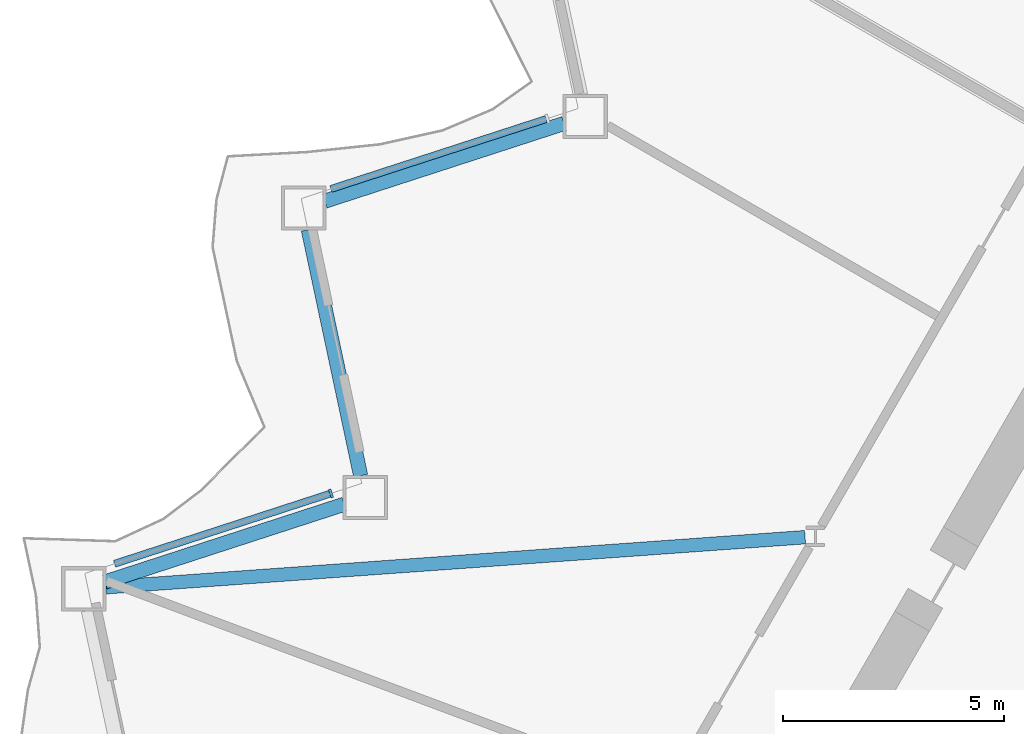
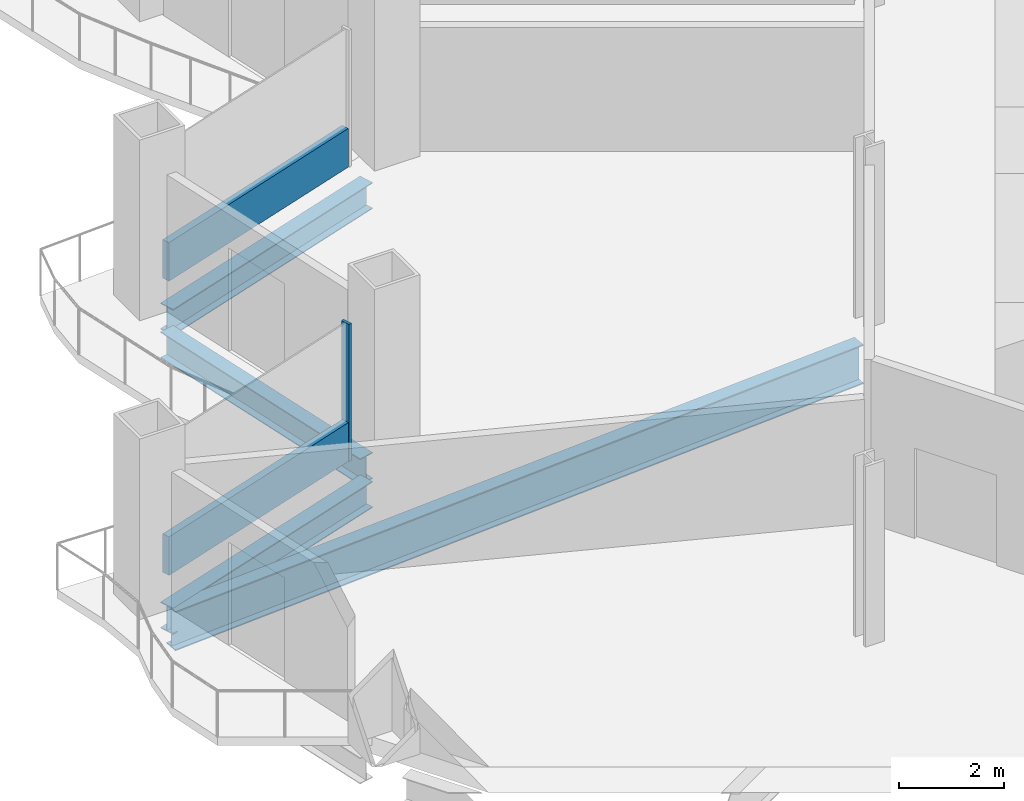
# One storey, part 3 of 20: 4 beams, 3 members, 2 elements without a shape of their own.
"""IFC4 building model written with IfcOpenShell, lengths in metres."""

from ifc_helpers import new_model, si_unit, direction, frame, origin, origin_2d, place, context, subcontext, project, spatial, rectangle, i_section, extrude, material, layer, layer_set, material_profile, profile_set, type_object, element, aggregate, save


model = new_model("IFC4")

# Units and contexts
model_context = context("Model", 3, precision=1e-05, world=origin(), true_north=direction((0.0, 1.0)))
body_context = subcontext(model_context, "Body", "Model", "MODEL_VIEW")
ifc_project = project(units=[si_unit("LENGTHUNIT", "METRE"), si_unit("AREAUNIT", "SQUARE_METRE"), si_unit("VOLUMEUNIT", "CUBIC_METRE"), si_unit("PLANEANGLEUNIT", "RADIAN"), si_unit("MASSUNIT", "GRAM", prefix="KILO")], contexts=[model_context])

# Site, building, storey
site_placement = place(None, origin())
site = spatial("IfcSite", under=ifc_project, at=site_placement, CompositionType="ELEMENT")
building_placement = place(site_placement, origin())
building = spatial("IfcBuilding", under=site, at=building_placement, Name="Cormorant Prow Tower", CompositionType="ELEMENT")
storey_placement = place(building_placement, frame((0.0, 0.0, 63.60009765625)))
storey = spatial("IfcBuildingStorey", under=building, at=storey_placement, Name="L13", CompositionType="ELEMENT", Elevation=63.60009765625)

# Curtain wall, member
ifc_material_1 = material(Name="Aluminium 6063-T6", Category="aluminium")
ifc_layer = layer(ifc_material_1, 0.199951171875)
ifc_layer_set = layer_set([ifc_layer], Name="Aluminium 6063-T6")
curtain_wall_type = type_object("IfcCurtainWallType", Name="Office unitised curtain wall 200", PredefinedType="NOTDEFINED", material=ifc_layer_set)
curtain_wall_1_placement = place(storey_placement, origin())
curtain_wall_1 = element("IfcCurtainWall", 1, at=curtain_wall_1_placement, inside=storey, type_object=curtain_wall_type, Name="Office curtain wall WNW08", PredefinedType="NOTDEFINED")
ifc_material_2 = material(Name="Aluminium 6063-T6", Category="aluminium")
ifc_material_profile_1 = material_profile(ifc_material_2, rectangle(XDim=0.199951171875, YDim=0.06005859375, at=origin_2d()), Name="Office mullion 60x200")
ifc_profile_set_1 = profile_set([ifc_material_profile_1], Name="Aluminium 6063-T6")
member_type_1 = type_object("IfcMemberType", Name="Office mullion 60x200", PredefinedType="MULLION", material=ifc_profile_set_1)
member_1_placement = place(storey_placement, frame((-26.809326171875, -2.082275390625, 0.0), z_axis=(0.0, 0.0, 1.0), x_axis=(0.309016941988, -0.951056533317, 0.0)))
member_1 = element("IfcMember", 2, at=member_1_placement, type_object=member_type_1, Name="Office mullion WNW08", PredefinedType="MULLION", context=body_context, shape_type="SweptSolid", body=[
    extrude(rectangle(XDim=0.199951171875, YDim=0.06005859375, at=origin_2d()), origin(), (0.0, 0.0, 1.0), 3.188720703125),
])

curtain_wall_2_placement = place(storey_placement, origin())
curtain_wall_2 = element("IfcCurtainWall", 3, at=curtain_wall_2_placement, inside=storey, type_object=curtain_wall_type, Name="Office curtain wall WNW06", PredefinedType="NOTDEFINED")
ifc_material_3 = material(Name="Terracotta", Category="masonry")
ifc_material_profile_2 = material_profile(ifc_material_3, rectangle(XDim=0.159912109375, YDim=0.89990234375, at=origin_2d()), Name="Office terracotta spandrel rail 160x900")
ifc_profile_set_2 = profile_set([ifc_material_profile_2], Name="Terracotta")
member_type_2 = type_object("IfcMemberType", Name="Office terracotta spandrel rail 160x900", PredefinedType="USERDEFINED", material=ifc_profile_set_2)
member_2_placement = place(storey_placement, frame((-21.9501953125, 6.374267578125, 0.449951171875), z_axis=(-0.95105863824, -0.309010463625, 0.0), x_axis=(0.309010463625, -0.95105863824, 0.0)))
member_2 = element("IfcMember", 4, at=member_2_placement, type_object=member_type_2, Name="Office spandrel rail WNW06", ObjectType="TRANSOM", PredefinedType="USERDEFINED", context=body_context, shape_type="SweptSolid", body=[
    extrude(rectangle(XDim=0.159912109375, YDim=0.89990234375, at=origin_2d()), origin(), (0.0, 0.0, 1.0), 5.111083984375),
])
aggregate(curtain_wall_2, [member_2])

# Member
member_3_placement = place(storey_placement, frame((-26.837890625, -2.091552734375, 0.449951171875), z_axis=(-0.951049161233, -0.309039630012, 0.0), x_axis=(0.309039630012, -0.951049161233, 0.0)))
member_3 = element("IfcMember", 5, at=member_3_placement, type_object=member_type_2, Name="Office spandrel rail WNW08", ObjectType="TRANSOM", PredefinedType="USERDEFINED", context=body_context, shape_type="SweptSolid", body=[
    extrude(rectangle(XDim=0.159912109375, YDim=0.89990234375, at=origin_2d()), origin(), (0.0, 0.0, 1.0), 5.111328125),
])

aggregate(curtain_wall_1, [member_1, member_3])

# Beams
ifc_material_4 = material(Name="Structural steel ASTM A992 Gr 50", Category="steel")
ifc_material_profile_3 = material_profile(ifc_material_4, i_section(OverallWidth=0.3046875, OverallDepth=0.914794921875, WebThickness=0.0166015625, FlangeThickness=0.02587890625, at=origin_2d()), Name="W36x160")
ifc_profile_set_3 = profile_set([ifc_material_profile_3], Name="Structural steel ASTM A992 Gr 50")
beam_type_1 = type_object("IfcBeamType", Name="Radial floor beam W36x160", PredefinedType="BEAM", material=ifc_profile_set_3)
beam_1_placement = place(storey_placement, frame((-16.099365234375, -3.0703125, -0.857421875), z_axis=(-0.997443412532, -0.071460750045, 0.0), x_axis=(0.071460750045, -0.997443412532, 0.0)))
element("IfcBeam", 6, at=beam_1_placement, inside=storey, type_object=beam_type_1, Name="Radial floor beam FB1 4 L13", PredefinedType="BEAM", context=body_context, shape_type="SweptSolid", body=[
    extrude(i_section(OverallWidth=0.3046875, OverallDepth=0.914794921875, WebThickness=0.0166015625, FlangeThickness=0.02587890625, at=origin_2d()), origin(), (0.0, 0.0, 1.0), 15.831787109375),
])
ifc_material_5 = material(Name="Structural steel ASTM A992 Gr 50", Category="steel")
ifc_material_profile_4 = material_profile(ifc_material_5, i_section(OverallWidth=0.32373046875, OverallDepth=0.611083984375, WebThickness=0.0126953125, FlangeThickness=0.01904296875, at=origin_2d()), Name="W24x104")
ifc_profile_set_4 = profile_set([ifc_material_profile_4], Name="Structural steel ASTM A992 Gr 50")
beam_type_2 = type_object("IfcBeamType", Name="Spandrel beam W24x104", PredefinedType="SPANDREL", material=ifc_profile_set_4)
beam_2_placement = place(storey_placement, frame((-21.54345703125, 6.274658203125, -0.70556640625), z_axis=(-0.951061849722, -0.309000579292, 0.0), x_axis=(0.309000579292, -0.951061849722, 0.0)))
element("IfcBeam", 7, at=beam_2_placement, inside=storey, type_object=beam_type_2, Name="Spandrel beam SB1 WNW06-WNW07 L13", PredefinedType="SPANDREL", context=body_context, shape_type="SweptSolid", body=[
    extrude(i_section(OverallWidth=0.32373046875, OverallDepth=0.611083984375, WebThickness=0.0126953125, FlangeThickness=0.01904296875, at=origin_2d()), origin(), (0.0, 0.0, 1.0), 5.682373046875),
])
beam_3_placement = place(storey_placement, frame((-27.3193359375, 3.875244140625, -0.70556640625), z_axis=(0.207900376723, -0.97815000555, 0.0), x_axis=(0.97815000555, 0.207900376723, 0.0)))
element("IfcBeam", 8, at=beam_3_placement, inside=storey, type_object=beam_type_2, Name="Spandrel beam SB1 WNW07-WNW08 L13", PredefinedType="SPANDREL", context=body_context, shape_type="SweptSolid", body=[
    extrude(i_section(OverallWidth=0.32373046875, OverallDepth=0.611083984375, WebThickness=0.0126953125, FlangeThickness=0.01904296875, at=origin_2d()), origin(), (0.0, 0.0, 1.0), 5.6826171875),
])
beam_4_placement = place(storey_placement, frame((-26.509521484375, -2.32666015625, -0.70556640625), z_axis=(-0.951049222751, -0.309039440696, 0.0), x_axis=(0.309039440696, -0.951049222751, 0.0)))
element("IfcBeam", 9, at=beam_4_placement, inside=storey, type_object=beam_type_2, Name="Spandrel beam SB1 WNW08-WNW09 L13", PredefinedType="SPANDREL", context=body_context, shape_type="SweptSolid", body=[
    extrude(i_section(OverallWidth=0.32373046875, OverallDepth=0.611083984375, WebThickness=0.0126953125, FlangeThickness=0.01904296875, at=origin_2d()), origin(), (0.0, 0.0, 1.0), 5.682373046875),
])

save(model, "model.ifc")
